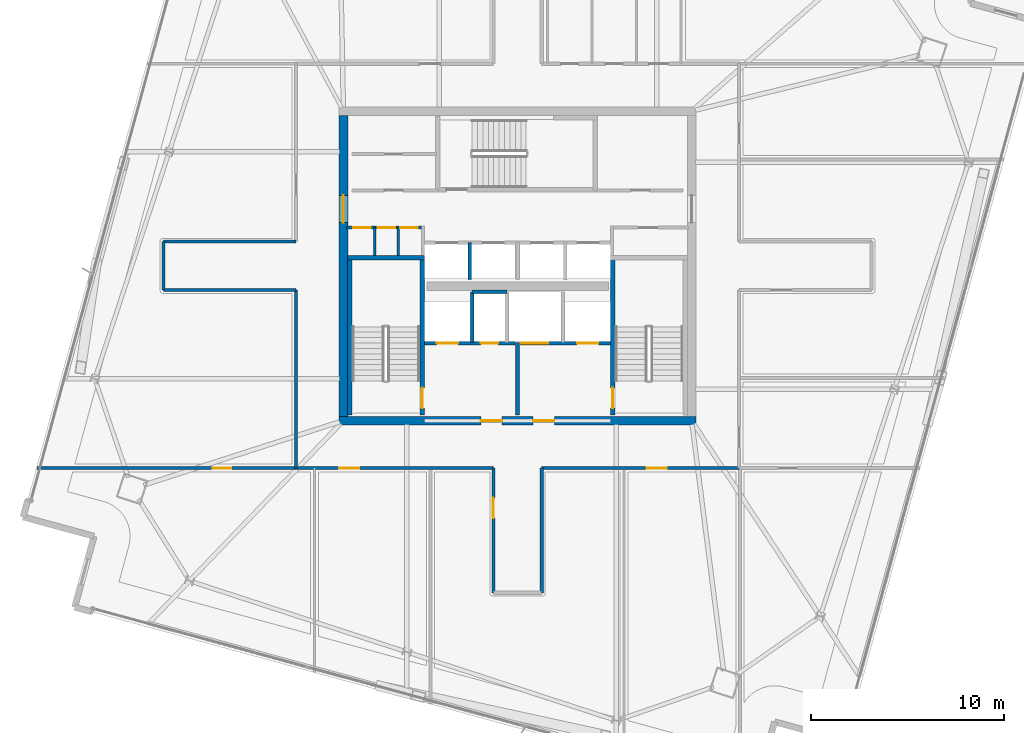
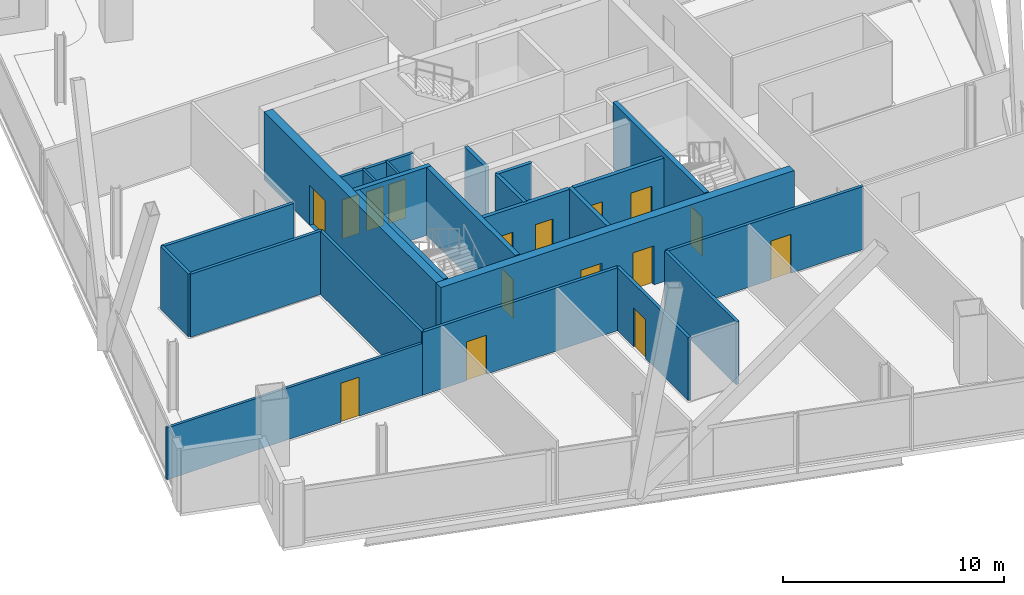
# One storey, part 20 of 26: 24 walls, 16 doors, 16 openings.
"""IFC4 building model written with IfcOpenShell, lengths in metres."""

from ifc_helpers import new_model, si_unit, direction, frame, frame_2d, origin, place, context, subcontext, project, spatial, rectangle, extrude, material, layer, layer_set, type_object, element, fill, save


model = new_model("IFC4")

# Units and contexts
model_context = context("Model", 3, precision=1e-05, world=origin(), true_north=direction((0.0, 1.0)))
body_context = subcontext(model_context, "Body", "Model", "MODEL_VIEW")
ifc_project = project(units=[si_unit("LENGTHUNIT", "METRE"), si_unit("AREAUNIT", "SQUARE_METRE"), si_unit("VOLUMEUNIT", "CUBIC_METRE"), si_unit("PLANEANGLEUNIT", "RADIAN"), si_unit("MASSUNIT", "GRAM", prefix="KILO")], contexts=[model_context])

# Site, building, storey
site_placement = place(None, origin())
site = spatial("IfcSite", under=ifc_project, at=site_placement, CompositionType="ELEMENT")
building_placement = place(site_placement, origin())
building = spatial("IfcBuilding", under=site, at=building_placement, Name="Haldenkirk Collegiate Tower", CompositionType="ELEMENT")
storey_placement = place(building_placement, frame((0.0, 0.0, 278.699951171875)))
storey = spatial("IfcBuildingStorey", under=building, at=storey_placement, Name="L70", CompositionType="ELEMENT", Elevation=278.699951171875)

# Wall, openings, doors
ifc_material_1 = material(Name="Concrete f'c 55 MPa", Category="concrete")
ifc_layer_1 = layer(ifc_material_1, 0.449951171875)
ifc_layer_set_1 = layer_set([ifc_layer_1], Name="Concrete f'c 55 MPa")
wall_type_1 = type_object("IfcWallType", Name="WL-CORE-450", PredefinedType="SHEAR", material=ifc_layer_set_1)
wall_1_placement = place(storey_placement, frame((26.77490234375, 18.0, 0.0), z_axis=(0.0, 0.0, 1.0), x_axis=(1.0, 0.0, 0.0)))
wall_1 = element("IfcWall", 1, at=wall_1_placement, inside=storey, type_object=wall_type_1, Name="L70 central core shear wall S", PredefinedType="SHEAR", context=body_context, shape_type="SweptSolid", body=[
    extrude(rectangle(XDim=18.4501953125, YDim=0.449951171875, at=frame_2d((9.22509765625, 0.0))), origin(), (0.0, 0.0, 1.0), 3.75),
])
opening_1_placement = place(wall_1_placement, frame((7.324951171875, 0.0, 0.0)))
opening_1 = element("IfcOpeningElement", 2, at=opening_1_placement, cuts=wall_1, Name="Opening D-02", PredefinedType="OPENING", context=body_context, shape_type="SweptSolid", body=[
    extrude(rectangle(XDim=1.10009765625, YDim=2.14990234375, at=frame_2d((0.550048828125, 1.074951171875))), frame((0.0, 0.23486328125, 0.0), z_axis=(0.0, -1.0, 0.0), x_axis=(1.0, 0.0, 0.0)), (0.0, 0.0, 1.0), 0.469970703125),
])
opening_2_placement = place(wall_1_placement, frame((10.02490234375, 0.0, 0.0)))
opening_2 = element("IfcOpeningElement", 3, at=opening_2_placement, cuts=wall_1, Name="Opening D-02", PredefinedType="OPENING", context=body_context, shape_type="SweptSolid", body=[
    extrude(rectangle(XDim=1.10009765625, YDim=2.14990234375, at=frame_2d((0.550048828125, 1.074951171875))), frame((0.0, 0.23486328125, 0.0), z_axis=(0.0, -1.0, 0.0), x_axis=(1.0, 0.0, 0.0)), (0.0, 0.0, 1.0), 0.469970703125),
])
ifc_material_2 = material(Name="Galvanized fire-rated hollow steel door", Category="steel")
ifc_layer_2 = layer(ifc_material_2, 0.06005859375)
ifc_layer_set_2 = layer_set([ifc_layer_2], Name="Galvanized fire-rated hollow steel door")
door_type_1 = type_object("IfcDoorType", Name="DR-STAIR-FD90-1100", OperationType="NOTDEFINED", PredefinedType="DOOR", material=ifc_layer_set_2)
door_1_placement = place(opening_1_placement, origin())
door_1 = element("IfcDoor", 4, at=door_1_placement, inside=storey, type_object=door_type_1, Name="L70 Firefighting Lobby 1 door", OperationType="SINGLE_SWING_LEFT", OverallHeight=2.14990234375, OverallWidth=1.10009765625, PredefinedType="DOOR", context=body_context, shape_type="SweptSolid", body=[
    extrude(rectangle(XDim=1.10009765625, YDim=2.14990234375, at=frame_2d((0.550048828125, 1.074951171875))), frame((0.0, 0.02490234375, 0.0), z_axis=(0.0, -1.0, 0.0), x_axis=(1.0, 0.0, 0.0)), (0.0, 0.0, 1.0), 0.050048828125),
])
fill(opening_1, door_1)
door_2_placement = place(opening_2_placement, origin())
door_2 = element("IfcDoor", 5, at=door_2_placement, inside=storey, type_object=door_type_1, Name="L70 Firefighting Lobby 2 door", OperationType="SINGLE_SWING_RIGHT", OverallHeight=2.14990234375, OverallWidth=1.10009765625, PredefinedType="DOOR", context=body_context, shape_type="SweptSolid", body=[
    extrude(rectangle(XDim=1.10009765625, YDim=2.14990234375, at=frame_2d((0.550048828125, 1.074951171875))), frame((0.0, 0.02490234375, 0.0), z_axis=(0.0, -1.0, 0.0), x_axis=(1.0, 0.0, 0.0)), (0.0, 0.0, 1.0), 0.050048828125),
])
fill(opening_2, door_2)

# Wall, opening, door
wall_2_placement = place(storey_placement, frame((27.0, 18.22509765625, 0.0), z_axis=(0.0, 0.0, 1.0), x_axis=(0.0, 1.0, 0.0)))
wall_2 = element("IfcWall", 6, at=wall_2_placement, inside=storey, type_object=wall_type_1, Name="L70 central core shear wall W", PredefinedType="SHEAR", context=body_context, shape_type="SweptSolid", body=[
    extrude(rectangle(XDim=15.5498046875, YDim=0.449951171875, at=frame_2d((7.77490234375, 0.0))), origin(), (0.0, 0.0, 1.0), 3.75),
])
opening_3_placement = place(wall_2_placement, frame((10.014892578125, 0.0, 0.0)))
opening_3 = element("IfcOpeningElement", 7, at=opening_3_placement, cuts=wall_2, Name="Opening D-03", PredefinedType="OPENING", context=body_context, shape_type="SweptSolid", body=[
    extrude(rectangle(XDim=1.39990234375, YDim=2.199951171875, at=frame_2d((0.699951171875, 1.10009765625))), frame((0.0, 0.23486328125, 0.0), z_axis=(0.0, -1.0, 0.0), x_axis=(1.0, 0.0, 0.0)), (0.0, 0.0, 1.0), 0.469970703125),
])
ifc_layer_3 = layer(ifc_material_2, 0.06005859375)
ifc_layer_set_3 = layer_set([ifc_layer_3], Name="Galvanized fire-rated hollow steel door")
door_type_2 = type_object("IfcDoorType", Name="DR-LOBBY-FD90-1400", OperationType="NOTDEFINED", PredefinedType="DOOR", material=ifc_layer_set_3)
door_3_placement = place(opening_3_placement, origin())
door_3 = element("IfcDoor", 8, at=door_3_placement, inside=storey, type_object=door_type_2, Name="L70 west lift lobby portal", OperationType="DOUBLE_DOOR_SINGLE_SWING", OverallHeight=2.199951171875, OverallWidth=1.39990234375, PredefinedType="DOOR", context=body_context, shape_type="SweptSolid", body=[
    extrude(rectangle(XDim=1.39990234375, YDim=2.199951171875, at=frame_2d((0.699951171875, 1.10009765625))), frame((0.0, 0.02490234375, 0.0), z_axis=(0.0, -1.0, 0.0), x_axis=(1.0, 0.0, 0.0)), (0.0, 0.0, 1.0), 0.050048828125),
])
fill(opening_3, door_3)

# Wall, openings, doors
ifc_material_3 = material(Name="Acoustic fire-rated gypsum partition", Category="concrete")
ifc_layer_4 = layer(ifc_material_3, 0.159912109375)
ifc_layer_set_4 = layer_set([ifc_layer_4], Name="Acoustic fire-rated gypsum partition")
wall_type_2 = type_object("IfcWallType", Name="WL-INT-CORR-160", PredefinedType="PARTITIONING", material=ifc_layer_set_4)
wall_3_placement = place(storey_placement, frame((27.14990234375, 27.97998046875, 0.0), z_axis=(0.0, 0.0, 1.0), x_axis=(1.0, 0.0, 0.0)))
wall_3 = element("IfcWall", 9, at=wall_3_placement, inside=storey, type_object=wall_type_2, Name="L70 interior partition IW-L70-VCSW-N", PredefinedType="PARTITIONING", context=body_context, shape_type="SweptSolid", body=[
    extrude(rectangle(XDim=4.050048828125, YDim=0.159912109375, at=frame_2d((2.02490234375, 0.0))), origin(), (0.0, 0.0, 1.0), 3.47998046875),
])
opening_4_placement = place(wall_3_placement, frame((0.360107421875, 0.0, 0.0)))
opening_4 = element("IfcOpeningElement", 10, at=opening_4_placement, cuts=wall_3, Name="Opening D-11", PredefinedType="OPENING", context=body_context, shape_type="SweptSolid", body=[
    extrude(rectangle(XDim=0.89990234375, YDim=2.14990234375, at=frame_2d((0.449951171875, 1.074951171875))), frame((0.0, 0.08984375, 0.0), z_axis=(0.0, -1.0, 0.0), x_axis=(1.0, 0.0, 0.0)), (0.0, 0.0, 1.0), 0.179931640625),
])
opening_5_placement = place(wall_3_placement, frame((1.6298828125, 0.0, 0.0)))
opening_5 = element("IfcOpeningElement", 11, at=opening_5_placement, cuts=wall_3, Name="Opening D-11", PredefinedType="OPENING", context=body_context, shape_type="SweptSolid", body=[
    extrude(rectangle(XDim=0.89990234375, YDim=2.14990234375, at=frame_2d((0.449951171875, 1.074951171875))), frame((0.0, 0.08984375, 0.0), z_axis=(0.0, -1.0, 0.0), x_axis=(1.0, 0.0, 0.0)), (0.0, 0.0, 1.0), 0.179931640625),
])
opening_6_placement = place(wall_3_placement, frame((2.78759765625, 0.0, 0.0)))
opening_6 = element("IfcOpeningElement", 12, at=opening_6_placement, cuts=wall_3, Name="Opening D-11", PredefinedType="OPENING", context=body_context, shape_type="SweptSolid", body=[
    extrude(rectangle(XDim=0.89990234375, YDim=2.14990234375, at=frame_2d((0.449951171875, 1.074951171875))), frame((0.0, 0.08984375, 0.0), z_axis=(0.0, -1.0, 0.0), x_axis=(1.0, 0.0, 0.0)), (0.0, 0.0, 1.0), 0.179931640625),
])
ifc_material_4 = material(Name="Solid-core architectural oak fire door", Category="wood")
ifc_layer_5 = layer(ifc_material_4, 0.06005859375)
ifc_layer_set_5 = layer_set([ifc_layer_5], Name="Solid-core architectural oak fire door")
door_type_3 = type_object("IfcDoorType", Name="DR-INT-FD60-900", OperationType="NOTDEFINED", PredefinedType="DOOR", material=ifc_layer_set_5)
door_4_placement = place(opening_4_placement, origin())
door_4 = element("IfcDoor", 13, at=door_4_placement, inside=storey, type_object=door_type_3, Name="L70 core study booth door", OperationType="SINGLE_SWING_LEFT", OverallHeight=2.14990234375, OverallWidth=0.89990234375, PredefinedType="DOOR", context=body_context, shape_type="SweptSolid", body=[
    extrude(rectangle(XDim=0.89990234375, YDim=2.14990234375, at=frame_2d((0.449951171875, 1.074951171875))), frame((0.0, 0.02490234375, 0.0), z_axis=(0.0, -1.0, 0.0), x_axis=(1.0, 0.0, 0.0)), (0.0, 0.0, 1.0), 0.050048828125),
])
fill(opening_4, door_4)
door_5_placement = place(opening_5_placement, origin())
door_5 = element("IfcDoor", 14, at=door_5_placement, inside=storey, type_object=door_type_3, Name="L70 core cleaners door", OperationType="SINGLE_SWING_RIGHT", OverallHeight=2.14990234375, OverallWidth=0.89990234375, PredefinedType="DOOR", context=body_context, shape_type="SweptSolid", body=[
    extrude(rectangle(XDim=0.89990234375, YDim=2.14990234375, at=frame_2d((0.449951171875, 1.074951171875))), frame((0.0, 0.02490234375, 0.0), z_axis=(0.0, -1.0, 0.0), x_axis=(1.0, 0.0, 0.0)), (0.0, 0.0, 1.0), 0.050048828125),
])
fill(opening_5, door_5)
door_6_placement = place(opening_6_placement, origin())
door_6 = element("IfcDoor", 15, at=door_6_placement, inside=storey, type_object=door_type_3, Name="L70 core stationery door", OperationType="SINGLE_SWING_LEFT", OverallHeight=2.14990234375, OverallWidth=0.89990234375, PredefinedType="DOOR", context=body_context, shape_type="SweptSolid", body=[
    extrude(rectangle(XDim=0.89990234375, YDim=2.14990234375, at=frame_2d((0.449951171875, 1.074951171875))), frame((0.0, 0.02490234375, 0.0), z_axis=(0.0, -1.0, 0.0), x_axis=(1.0, 0.0, 0.0)), (0.0, 0.0, 1.0), 0.050048828125),
])
fill(opening_6, door_6)

# Wall, opening, door
wall_4_placement = place(storey_placement, frame((24.5, 15.550048828125, 0.0), z_axis=(0.0, 0.0, 1.0), x_axis=(1.0, 0.0, 0.0)))
wall_4 = element("IfcWall", 16, at=wall_4_placement, inside=storey, type_object=wall_type_2, Name="L70 interior partition IW-L70-CS1", PredefinedType="PARTITIONING", context=body_context, shape_type="SweptSolid", body=[
    extrude(rectangle(XDim=10.25, YDim=0.159912109375, at=frame_2d((5.125, 0.0))), origin(), (0.0, 0.0, 1.0), 3.47998046875),
])
opening_7_placement = place(wall_4_placement, frame((2.27490234375, 0.0, 0.0)))
opening_7 = element("IfcOpeningElement", 17, at=opening_7_placement, cuts=wall_4, Name="Opening D-09", PredefinedType="OPENING", context=body_context, shape_type="SweptSolid", body=[
    extrude(rectangle(XDim=1.050048828125, YDim=2.14990234375, at=frame_2d((0.52490234375, 1.074951171875))), frame((0.0, 0.08984375, 0.0), z_axis=(0.0, -1.0, 0.0), x_axis=(1.0, 0.0, 0.0)), (0.0, 0.0, 1.0), 0.179931640625),
])
ifc_layer_6 = layer(ifc_material_4, 0.06005859375)
ifc_layer_set_6 = layer_set([ifc_layer_6], Name="Solid-core architectural oak fire door")
door_type_4 = type_object("IfcDoorType", Name="DR-INT-FD60-1050", OperationType="NOTDEFINED", PredefinedType="DOOR", material=ifc_layer_set_6)
door_7_placement = place(opening_7_placement, origin())
door_7 = element("IfcDoor", 18, at=door_7_placement, inside=storey, type_object=door_type_4, Name="L70 Student Reading Lounge 2 door", OperationType="SINGLE_SWING_RIGHT", OverallHeight=2.14990234375, OverallWidth=1.050048828125, PredefinedType="DOOR", context=body_context, shape_type="SweptSolid", body=[
    extrude(rectangle(XDim=1.050048828125, YDim=2.14990234375, at=frame_2d((0.52490234375, 1.074951171875))), frame((0.0, 0.02490234375, 0.0), z_axis=(0.0, -1.0, 0.0), x_axis=(1.0, 0.0, 0.0)), (0.0, 0.0, 1.0), 0.050048828125),
])
fill(opening_7, door_7)

wall_5_placement = place(storey_placement, frame((37.25, 15.550048828125, 0.0), z_axis=(0.0, 0.0, 1.0), x_axis=(1.0, 0.0, 0.0)))
wall_5 = element("IfcWall", 19, at=wall_5_placement, inside=storey, type_object=wall_type_2, Name="L70 interior partition IW-L70-CS2", PredefinedType="PARTITIONING", context=body_context, shape_type="SweptSolid", body=[
    extrude(rectangle(XDim=10.25, YDim=0.159912109375, at=frame_2d((5.125, 0.0))), origin(), (0.0, 0.0, 1.0), 3.47998046875),
])
opening_8_placement = place(wall_5_placement, frame((5.4189453125, 0.0, 0.0)))
opening_8 = element("IfcOpeningElement", 20, at=opening_8_placement, cuts=wall_5, Name="Opening D-09", PredefinedType="OPENING", context=body_context, shape_type="SweptSolid", body=[
    extrude(rectangle(XDim=1.050048828125, YDim=2.14990234375, at=frame_2d((0.52490234375, 1.074951171875))), frame((0.0, 0.08984375, 0.0), z_axis=(0.0, -1.0, 0.0), x_axis=(1.0, 0.0, 0.0)), (0.0, 0.0, 1.0), 0.179931640625),
])
door_8_placement = place(opening_8_placement, origin())
door_8 = element("IfcDoor", 21, at=door_8_placement, inside=storey, type_object=door_type_4, Name="L70 Faculty Club Lounge 4 door", OperationType="SINGLE_SWING_RIGHT", OverallHeight=2.14990234375, OverallWidth=1.050048828125, PredefinedType="DOOR", context=body_context, shape_type="SweptSolid", body=[
    extrude(rectangle(XDim=1.050048828125, YDim=2.14990234375, at=frame_2d((0.52490234375, 1.074951171875))), frame((0.0, 0.02490234375, 0.0), z_axis=(0.0, -1.0, 0.0), x_axis=(1.0, 0.0, 0.0)), (0.0, 0.0, 1.0), 0.050048828125),
])
fill(opening_8, door_8)

# Wall
wall_6_placement = place(storey_placement, frame((24.550048828125, 15.550048828125, 0.0), z_axis=(0.0, 0.0, 1.0), x_axis=(0.0, 1.0, 0.0)))
element("IfcWall", 22, at=wall_6_placement, inside=storey, type_object=wall_type_2, Name="L70 interior partition IW-L70-CW1", PredefinedType="PARTITIONING", context=body_context, shape_type="SweptSolid", body=[
    extrude(rectangle(XDim=9.199951171875, YDim=0.159912109375, at=frame_2d((4.60009765625, 0.0))), origin(), (0.0, 0.0, 1.0), 3.47998046875),
])

# Wall, opening, door
wall_7_placement = place(storey_placement, frame((34.75, 9.10009765625, 0.0), z_axis=(0.0, 0.0, 1.0), x_axis=(0.0, 1.0, 0.0)))
wall_7 = element("IfcWall", 23, at=wall_7_placement, inside=storey, type_object=wall_type_2, Name="L70 interior partition IW-L70-SPW", PredefinedType="PARTITIONING", context=body_context, shape_type="SweptSolid", body=[
    extrude(rectangle(XDim=6.449951171875, YDim=0.159912109375, at=frame_2d((3.22509765625, 0.0))), origin(), (0.0, 0.0, 1.0), 3.47998046875),
])
opening_9_placement = place(wall_7_placement, frame((3.861083984375, 0.0, 0.0)))
opening_9 = element("IfcOpeningElement", 24, at=opening_9_placement, cuts=wall_7, Name="Opening D-09", PredefinedType="OPENING", context=body_context, shape_type="SweptSolid", body=[
    extrude(rectangle(XDim=1.050048828125, YDim=2.14990234375, at=frame_2d((0.52490234375, 1.074951171875))), frame((0.0, 0.08984375, 0.0), z_axis=(0.0, -1.0, 0.0), x_axis=(1.0, 0.0, 0.0)), (0.0, 0.0, 1.0), 0.179931640625),
])
door_9_placement = place(opening_9_placement, origin())
door_9 = element("IfcDoor", 25, at=door_9_placement, inside=storey, type_object=door_type_4, Name="L70 Graduate Study Lounge 3 door", OperationType="SINGLE_SWING_LEFT", OverallHeight=2.14990234375, OverallWidth=1.050048828125, PredefinedType="DOOR", context=body_context, shape_type="SweptSolid", body=[
    extrude(rectangle(XDim=1.050048828125, YDim=2.14990234375, at=frame_2d((0.52490234375, 1.074951171875))), frame((0.0, 0.02490234375, 0.0), z_axis=(0.0, -1.0, 0.0), x_axis=(1.0, 0.0, 0.0)), (0.0, 0.0, 1.0), 0.050048828125),
])
fill(opening_9, door_9)

# Walls
wall_8_placement = place(storey_placement, frame((37.25, 9.10009765625, 0.0), z_axis=(0.0, 0.0, 1.0), x_axis=(0.0, 1.0, 0.0)))
element("IfcWall", 26, at=wall_8_placement, inside=storey, type_object=wall_type_2, Name="L70 interior partition IW-L70-SPE", PredefinedType="PARTITIONING", context=body_context, shape_type="SweptSolid", body=[
    extrude(rectangle(XDim=6.449951171875, YDim=0.159912109375, at=frame_2d((3.22509765625, 0.0))), origin(), (0.0, 0.0, 1.0), 3.47998046875),
])
for number, where, z_axis, x_axis, name in (
    (27, (17.699951171875, 24.75, 0.0), (0.0, 0.0, 1.0), (1.0, 0.0, 0.0), "L70 interior partition IW-L70-WPS"),
    (28, (17.699951171875, 27.25, 0.0), (0.0, 0.0, 1.0), (1.0, 0.0, 0.0), "L70 interior partition IW-L70-WPN"),
):
    element("IfcWall", number, at=place(storey_placement, frame(where, z_axis=z_axis, x_axis=x_axis)), inside=storey, type_object=wall_type_2, Name=name, PredefinedType="PARTITIONING", context=body_context, shape_type="SweptSolid", body=[
        extrude(rectangle(XDim=6.85009765625, YDim=0.159912109375, at=frame_2d((3.425048828125, 0.0))), origin(), (0.0, 0.0, 1.0), 3.47998046875),
    ])
wall_9_placement = place(storey_placement, frame((17.699951171875, 24.75, 0.0), z_axis=(0.0, 0.0, 1.0), x_axis=(0.0, 1.0, 0.0)))
element("IfcWall", 29, at=wall_9_placement, inside=storey, type_object=wall_type_2, Name="L70 interior partition IW-L70-WPW", PredefinedType="PARTITIONING", context=body_context, shape_type="SweptSolid", body=[
    extrude(rectangle(XDim=2.5, YDim=0.159912109375, at=frame_2d((1.25, 0.0))), origin(), (0.0, 0.0, 1.0), 3.47998046875),
])

# Wall, opening, door
ifc_layer_7 = layer(ifc_material_3, 0.139892578125)
ifc_layer_set_7 = layer_set([ifc_layer_7], Name="Acoustic fire-rated gypsum partition")
wall_type_3 = type_object("IfcWallType", Name="WL-INT-DIV-140", PredefinedType="PARTITIONING", material=ifc_layer_set_7)
wall_10_placement = place(storey_placement, frame((11.1669921875, 15.550048828125, 0.0), z_axis=(0.0, 0.0, 1.0), x_axis=(1.0, 0.0, 0.0)))
wall_10 = element("IfcWall", 30, at=wall_10_placement, inside=storey, type_object=wall_type_3, Name="L70 interior partition IW-L70-BWS", PredefinedType="PARTITIONING", context=body_context, shape_type="SweptSolid", body=[
    extrude(rectangle(XDim=13.383056640625, YDim=0.139892578125, at=frame_2d((6.69140625, 0.0))), origin(), (0.0, 0.0, 1.0), 2.858154296875),
])
opening_10_placement = place(wall_10_placement, frame((9.076171875, 0.0, 0.0)))
opening_10 = element("IfcOpeningElement", 31, at=opening_10_placement, cuts=wall_10, Name="Opening D-12", PredefinedType="OPENING", context=body_context, shape_type="SweptSolid", body=[
    extrude(rectangle(XDim=0.949951171875, YDim=2.14990234375, at=frame_2d((0.47509765625, 1.074951171875))), frame((0.0, 0.079833984375, 0.0), z_axis=(0.0, -1.0, 0.0), x_axis=(1.0, 0.0, 0.0)), (0.0, 0.0, 1.0), 0.159912109375),
])
ifc_layer_8 = layer(ifc_material_4, 0.06005859375)
ifc_layer_set_8 = layer_set([ifc_layer_8], Name="Solid-core architectural oak fire door")
door_type_5 = type_object("IfcDoorType", Name="DR-INT-STD-950", OperationType="NOTDEFINED", PredefinedType="DOOR", material=ifc_layer_set_8)
door_10_placement = place(opening_10_placement, origin())
door_10 = element("IfcDoor", 32, at=door_10_placement, inside=storey, type_object=door_type_5, Name="L70 Collegiate Commons Lounge 1 door", OperationType="SINGLE_SWING_LEFT", OverallHeight=2.14990234375, OverallWidth=0.949951171875, PredefinedType="DOOR", context=body_context, shape_type="SweptSolid", body=[
    extrude(rectangle(XDim=0.949951171875, YDim=2.14990234375, at=frame_2d((0.47509765625, 1.074951171875))), frame((0.0, 0.02490234375, 0.0), z_axis=(0.0, -1.0, 0.0), x_axis=(1.0, 0.0, 0.0)), (0.0, 0.0, 1.0), 0.050048828125),
])
fill(opening_10, door_10)

# Walls
ifc_material_5 = material(Name="Fire-rated gypsum shaftboard assembly", Category="concrete")
ifc_layer_9 = layer(ifc_material_5, 0.179931640625)
ifc_layer_set_9 = layer_set([ifc_layer_9], Name="Fire-rated gypsum shaftboard assembly")
wall_type_4 = type_object("IfcWallType", Name="WL-INT-SHAFT-180", PredefinedType="PARTITIONING", material=ifc_layer_set_9)
wall_11_placement = place(storey_placement, frame((33.64990234375, 22.050048828125, 0.0), z_axis=(0.0, 0.0, 1.0), x_axis=(0.0, 1.0, 0.0)))
element("IfcWall", 33, at=wall_11_placement, inside=storey, type_object=wall_type_4, Name="L70 interior partition IW-L70-FL1E", PredefinedType="PARTITIONING", context=body_context, shape_type="SweptSolid", body=[
    extrude(rectangle(XDim=2.599853515625, YDim=0.179931640625, at=frame_2d((1.2998046875, 0.0))), origin(), (0.0, 0.0, 1.0), 3.47998046875),
])
wall_12_placement = place(storey_placement, frame((33.64990234375, 24.64990234375, 0.0), z_axis=(0.0, 0.0, 1.0), x_axis=(1.0, 0.0, 0.0)))
element("IfcWall", 34, at=wall_12_placement, inside=storey, type_object=wall_type_4, Name="L70 interior partition IW-L70-RSRN", PredefinedType="PARTITIONING", context=body_context, shape_type="SweptSolid", body=[
    extrude(rectangle(XDim=1.800048828125, YDim=0.179931640625, at=frame_2d((0.89990234375, 0.0))), origin(), (0.0, 0.0, 1.0), 3.47998046875),
])
wall_13_placement = place(storey_placement, frame((33.5400390625, 25.300048828125, 0.0), z_axis=(0.0, 0.0, 1.0), x_axis=(0.0, 1.0, 0.0)))
element("IfcWall", 35, at=wall_13_placement, inside=storey, type_object=wall_type_4, Name="L70 interior partition IW-L70-PHV1", PredefinedType="PARTITIONING", context=body_context, shape_type="SweptSolid", body=[
    extrude(rectangle(XDim=1.89990234375, YDim=0.179931640625, at=frame_2d((0.949951171875, 0.0))), origin(), (0.0, 0.0, 1.0), 3.47998046875),
])
ifc_layer_10 = layer(ifc_material_5, 0.199951171875)
ifc_layer_set_10 = layer_set([ifc_layer_10], Name="Fire-rated gypsum shaftboard assembly")
wall_type_5 = type_object("IfcWallType", Name="WL-INT-SHAFT-200", PredefinedType="PARTITIONING", material=ifc_layer_set_10)
wall_14_placement = place(storey_placement, frame((36.0, 18.280029296875, 0.0), z_axis=(0.0, 0.0, 1.0), x_axis=(0.0, 1.0, 0.0)))
element("IfcWall", 36, at=wall_14_placement, inside=storey, type_object=wall_type_5, Name="L70 interior partition IW-L70-FFLM", PredefinedType="PARTITIONING", context=body_context, shape_type="SweptSolid", body=[
    extrude(rectangle(XDim=3.77001953125, YDim=0.199951171875, at=frame_2d((1.885009765625, 0.0))), origin(), (0.0, 0.0, 1.0), 3.47998046875),
])

# Wall, openings, doors
wall_15_placement = place(storey_placement, frame((31.18994140625, 22.0, 0.0), z_axis=(0.0, 0.0, 1.0), x_axis=(1.0, 0.0, 0.0)))
wall_15 = element("IfcWall", 37, at=wall_15_placement, inside=storey, type_object=wall_type_5, Name="L70 interior partition IW-L70-FFL1N", PredefinedType="PARTITIONING", context=body_context, shape_type="SweptSolid", body=[
    extrude(rectangle(XDim=4.68994140625, YDim=0.199951171875, at=frame_2d((2.344970703125, 0.0))), origin(), (0.0, 0.0, 1.0), 3.47998046875),
])
opening_11_placement = place(wall_15_placement, frame((2.909912109375, 0.0, 0.0)))
opening_11 = element("IfcOpeningElement", 38, at=opening_11_placement, cuts=wall_15, Name="Opening D-06", PredefinedType="OPENING", context=body_context, shape_type="SweptSolid", body=[
    extrude(rectangle(XDim=0.89990234375, YDim=2.14990234375, at=frame_2d((0.449951171875, 1.074951171875))), frame((0.0, 0.10986328125, 0.0), z_axis=(0.0, -1.0, 0.0), x_axis=(1.0, 0.0, 0.0)), (0.0, 0.0, 1.0), 0.219970703125),
])
opening_12_placement = place(wall_15_placement, frame((0.635009765625, 0.0, 0.0)))
opening_12 = element("IfcOpeningElement", 39, at=opening_12_placement, cuts=wall_15, Name="Opening LD-12", PredefinedType="OPENING", context=body_context, shape_type="SweptSolid", body=[
    extrude(rectangle(XDim=1.10009765625, YDim=2.14990234375, at=frame_2d((0.550048828125, 1.074951171875))), frame((0.0, 0.10986328125, 0.0), z_axis=(0.0, -1.0, 0.0), x_axis=(1.0, 0.0, 0.0)), (0.0, 0.0, 1.0), 0.219970703125),
])
ifc_layer_11 = layer(ifc_material_2, 0.06005859375)
ifc_layer_set_11 = layer_set([ifc_layer_11], Name="Galvanized fire-rated hollow steel door")
door_type_6 = type_object("IfcDoorType", Name="DR-INT-FD90-900", OperationType="NOTDEFINED", PredefinedType="DOOR", material=ifc_layer_set_11)
door_11_placement = place(opening_11_placement, origin())
door_11 = element("IfcDoor", 40, at=door_11_placement, inside=storey, type_object=door_type_6, Name="L70 electrical riser door", OperationType="SINGLE_SWING_LEFT", OverallHeight=2.14990234375, OverallWidth=0.89990234375, PredefinedType="DOOR", context=body_context, shape_type="SweptSolid", body=[
    extrude(rectangle(XDim=0.89990234375, YDim=2.14990234375, at=frame_2d((0.449951171875, 1.074951171875))), frame((0.0, 0.02490234375, 0.0), z_axis=(0.0, -1.0, 0.0), x_axis=(1.0, 0.0, 0.0)), (0.0, 0.0, 1.0), 0.050048828125),
])
fill(opening_11, door_11)
ifc_material_6 = material(Name="Brushed architectural stainless steel", Category="steel")
ifc_layer_12 = layer(ifc_material_6, 0.06005859375)
ifc_layer_set_12 = layer_set([ifc_layer_12], Name="Brushed architectural stainless steel")
door_type_7 = type_object("IfcDoorType", Name="LD-FIRE-1100", OperationType="NOTDEFINED", PredefinedType="DOOR", material=ifc_layer_set_12)
door_12_placement = place(opening_12_placement, origin())
door_12 = element("IfcDoor", 41, at=door_12_placement, inside=storey, type_object=door_type_7, Name="L70 Elevator FL1 sliding landing door", OperationType="SLIDING_TO_LEFT", OverallHeight=2.14990234375, OverallWidth=1.10009765625, PredefinedType="DOOR", context=body_context, shape_type="SweptSolid", body=[
    extrude(rectangle(XDim=1.10009765625, YDim=2.14990234375, at=frame_2d((0.550048828125, 1.074951171875))), frame((0.0, 0.02490234375, 0.0), z_axis=(0.0, -1.0, 0.0), x_axis=(1.0, 0.0, 0.0)), (0.0, 0.0, 1.0), 0.050048828125),
])
fill(opening_12, door_12)

wall_16_placement = place(storey_placement, frame((36.1201171875, 22.0, 0.0), z_axis=(0.0, 0.0, 1.0), x_axis=(1.0, 0.0, 0.0)))
wall_16 = element("IfcWall", 42, at=wall_16_placement, inside=storey, type_object=wall_type_5, Name="L70 interior partition IW-L70-FFL2N", PredefinedType="PARTITIONING", context=body_context, shape_type="SweptSolid", body=[
    extrude(rectangle(XDim=4.68994140625, YDim=0.199951171875, at=frame_2d((2.344970703125, 0.0))), origin(), (0.0, 0.0, 1.0), 3.47998046875),
])
opening_13_placement = place(wall_16_placement, frame((2.955078125, 0.0, 0.0)))
opening_13 = element("IfcOpeningElement", 43, at=opening_13_placement, cuts=wall_16, Name="Opening LD-12", PredefinedType="OPENING", context=body_context, shape_type="SweptSolid", body=[
    extrude(rectangle(XDim=1.10009765625, YDim=2.14990234375, at=frame_2d((0.550048828125, 1.074951171875))), frame((0.0, 0.10986328125, 0.0), z_axis=(0.0, -1.0, 0.0), x_axis=(1.0, 0.0, 0.0)), (0.0, 0.0, 1.0), 0.219970703125),
])
opening_14_placement = place(wall_16_placement, frame((0.080078125, 0.0, 0.0)))
opening_14 = element("IfcOpeningElement", 44, at=opening_14_placement, cuts=wall_16, Name="Opening LD-13", PredefinedType="OPENING", context=body_context, shape_type="SweptSolid", body=[
    extrude(rectangle(XDim=1.39990234375, YDim=2.199951171875, at=frame_2d((0.699951171875, 1.10009765625))), frame((0.0, 0.10986328125, 0.0), z_axis=(0.0, -1.0, 0.0), x_axis=(1.0, 0.0, 0.0)), (0.0, 0.0, 1.0), 0.219970703125),
])
door_13_placement = place(opening_13_placement, origin())
door_13 = element("IfcDoor", 45, at=door_13_placement, inside=storey, type_object=door_type_7, Name="L70 Elevator FL2 sliding landing door", OperationType="SLIDING_TO_LEFT", OverallHeight=2.14990234375, OverallWidth=1.10009765625, PredefinedType="DOOR", context=body_context, shape_type="SweptSolid", body=[
    extrude(rectangle(XDim=1.10009765625, YDim=2.14990234375, at=frame_2d((0.550048828125, 1.074951171875))), frame((0.0, 0.02490234375, 0.0), z_axis=(0.0, -1.0, 0.0), x_axis=(1.0, 0.0, 0.0)), (0.0, 0.0, 1.0), 0.050048828125),
])
fill(opening_13, door_13)
ifc_layer_13 = layer(ifc_material_6, 0.06005859375)
ifc_layer_set_13 = layer_set([ifc_layer_13], Name="Brushed architectural stainless steel")
door_type_8 = type_object("IfcDoorType", Name="LD-GOODS-1400", OperationType="NOTDEFINED", PredefinedType="DOOR", material=ifc_layer_set_13)
door_14_placement = place(opening_14_placement, origin())
door_14 = element("IfcDoor", 46, at=door_14_placement, inside=storey, type_object=door_type_8, Name="L70 Elevator GL1 sliding landing door", OperationType="SLIDING_TO_LEFT", OverallHeight=2.199951171875, OverallWidth=1.39990234375, PredefinedType="DOOR", context=body_context, shape_type="SweptSolid", body=[
    extrude(rectangle(XDim=1.39990234375, YDim=2.199951171875, at=frame_2d((0.699951171875, 1.10009765625))), frame((0.0, 0.02490234375, 0.0), z_axis=(0.0, -1.0, 0.0), x_axis=(1.0, 0.0, 0.0)), (0.0, 0.0, 1.0), 0.050048828125),
])
fill(opening_14, door_14)

# Walls
ifc_layer_14 = layer(ifc_material_3, 0.1201171875)
ifc_layer_set_14 = layer_set([ifc_layer_14], Name="Acoustic fire-rated gypsum partition")
wall_type_6 = type_object("IfcWallType", Name="WL-INT-WET-120", PredefinedType="PARTITIONING", material=ifc_layer_set_14)
for number, where, z_axis, x_axis, name in (
    (47, (28.6201171875, 26.5400390625, 0.0), (0.0, 0.0, 1.0), (0.0, 1.0, 0.0), "L70 interior partition IW-L70-VCSW-M1"),
    (48, (29.840087890625, 26.5400390625, 0.0), (0.0, 0.0, 1.0), (0.0, 1.0, 0.0), "L70 interior partition IW-L70-VCSW-M2"),
):
    element("IfcWall", number, at=place(storey_placement, frame(where, z_axis=z_axis, x_axis=x_axis)), inside=storey, type_object=wall_type_6, Name=name, PredefinedType="PARTITIONING", context=body_context, shape_type="SweptSolid", body=[
        extrude(rectangle(XDim=1.43994140625, YDim=0.1201171875, at=frame_2d((0.719970703125, 0.0))), origin(), (0.0, 0.0, 1.0), 3.47998046875),
    ])

# Wall, opening, door
ifc_layer_15 = layer(ifc_material_1, 0.239990234375)
ifc_layer_set_15 = layer_set([ifc_layer_15], Name="Concrete f'c 55 MPa")
wall_type_7 = type_object("IfcWallType", Name="WL-SHAFT-240", PredefinedType="SHEAR", material=ifc_layer_set_15)
wall_17_placement = place(storey_placement, frame((31.070068359375, 18.280029296875, 0.0), z_axis=(0.0, 0.0, 1.0), x_axis=(0.0, 1.0, 0.0)))
wall_17 = element("IfcWall", 49, at=wall_17_placement, inside=storey, type_object=wall_type_7, Name="L70 stair shaft shear wall SW-L70-ST1E", PredefinedType="SHEAR", context=body_context, shape_type="SweptSolid", body=[
    extrude(rectangle(XDim=8.260009765625, YDim=0.239990234375, at=frame_2d((4.1298828125, 0.0))), origin(), (0.0, 0.0, 1.0), 3.75),
])
opening_15_placement = place(wall_17_placement, frame((0.364990234375, 0.0, 0.0)))
opening_15 = element("IfcOpeningElement", 50, at=opening_15_placement, cuts=wall_17, Name="Opening D-01", PredefinedType="OPENING", context=body_context, shape_type="SweptSolid", body=[
    extrude(rectangle(XDim=1.050048828125, YDim=2.14990234375, at=frame_2d((0.52490234375, 1.074951171875))), frame((0.0, 0.1298828125, 0.0), z_axis=(0.0, -1.0, 0.0), x_axis=(1.0, 0.0, 0.0)), (0.0, 0.0, 1.0), 0.260009765625),
])
ifc_layer_16 = layer(ifc_material_2, 0.06005859375)
ifc_layer_set_16 = layer_set([ifc_layer_16], Name="Galvanized fire-rated hollow steel door")
door_type_9 = type_object("IfcDoorType", Name="DR-STAIR-FD90-1050", OperationType="NOTDEFINED", PredefinedType="DOOR", material=ifc_layer_set_16)
door_15_placement = place(opening_15_placement, origin())
door_15 = element("IfcDoor", 51, at=door_15_placement, inside=storey, type_object=door_type_9, Name="L70 Stair 1 door", OperationType="SINGLE_SWING_LEFT", OverallHeight=2.14990234375, OverallWidth=1.050048828125, PredefinedType="DOOR", context=body_context, shape_type="SweptSolid", body=[
    extrude(rectangle(XDim=1.050048828125, YDim=2.14990234375, at=frame_2d((0.52490234375, 1.074951171875))), frame((0.0, 0.02490234375, 0.0), z_axis=(0.0, -1.0, 0.0), x_axis=(1.0, 0.0, 0.0)), (0.0, 0.0, 1.0), 0.050048828125),
])
fill(opening_15, door_15)

# Walls
wall_18_placement = place(storey_placement, frame((27.2099609375, 26.419921875, 0.0), z_axis=(0.0, 0.0, 1.0), x_axis=(1.0, 0.0, 0.0)))
element("IfcWall", 52, at=wall_18_placement, inside=storey, type_object=wall_type_7, Name="L70 stair shaft shear wall SW-L70-ST1N", PredefinedType="SHEAR", context=body_context, shape_type="SweptSolid", body=[
    extrude(rectangle(XDim=3.97998046875, YDim=0.239990234375, at=frame_2d((1.989990234375, 0.0))), origin(), (0.0, 0.0, 1.0), 3.75),
])
wall_19_placement = place(storey_placement, frame((27.330078125, 18.280029296875, 0.0), z_axis=(0.0, 0.0, 1.0), x_axis=(0.0, 1.0, 0.0)))
element("IfcWall", 53, at=wall_19_placement, inside=storey, type_object=wall_type_7, Name="L70 stair shaft shear wall SW-L70-ST1W", PredefinedType="SHEAR", context=body_context, shape_type="SweptSolid", body=[
    extrude(rectangle(XDim=8.260009765625, YDim=0.239990234375, at=frame_2d((4.1298828125, 0.0))), origin(), (0.0, 0.0, 1.0), 3.75),
])

# Wall, opening, door
wall_20_placement = place(storey_placement, frame((40.929931640625, 18.280029296875, 0.0), z_axis=(0.0, 0.0, 1.0), x_axis=(0.0, 1.0, 0.0)))
wall_20 = element("IfcWall", 54, at=wall_20_placement, inside=storey, type_object=wall_type_7, Name="L70 stair shaft shear wall SW-L70-ST2W", PredefinedType="SHEAR", context=body_context, shape_type="SweptSolid", body=[
    extrude(rectangle(XDim=8.260009765625, YDim=0.239990234375, at=frame_2d((4.1298828125, 0.0))), origin(), (0.0, 0.0, 1.0), 3.75),
])
opening_16_placement = place(wall_20_placement, frame((0.364990234375, 0.0, 0.0)))
opening_16 = element("IfcOpeningElement", 55, at=opening_16_placement, cuts=wall_20, Name="Opening D-01", PredefinedType="OPENING", context=body_context, shape_type="SweptSolid", body=[
    extrude(rectangle(XDim=1.050048828125, YDim=2.14990234375, at=frame_2d((0.52490234375, 1.074951171875))), frame((0.0, 0.1298828125, 0.0), z_axis=(0.0, -1.0, 0.0), x_axis=(1.0, 0.0, 0.0)), (0.0, 0.0, 1.0), 0.260009765625),
])
door_16_placement = place(opening_16_placement, origin())
door_16 = element("IfcDoor", 56, at=door_16_placement, inside=storey, type_object=door_type_9, Name="L70 Stair 2 door", OperationType="SINGLE_SWING_RIGHT", OverallHeight=2.14990234375, OverallWidth=1.050048828125, PredefinedType="DOOR", context=body_context, shape_type="SweptSolid", body=[
    extrude(rectangle(XDim=1.050048828125, YDim=2.14990234375, at=frame_2d((0.52490234375, 1.074951171875))), frame((0.0, 0.02490234375, 0.0), z_axis=(0.0, -1.0, 0.0), x_axis=(1.0, 0.0, 0.0)), (0.0, 0.0, 1.0), 0.050048828125),
])
fill(opening_16, door_16)

save(model, "model.ifc")
